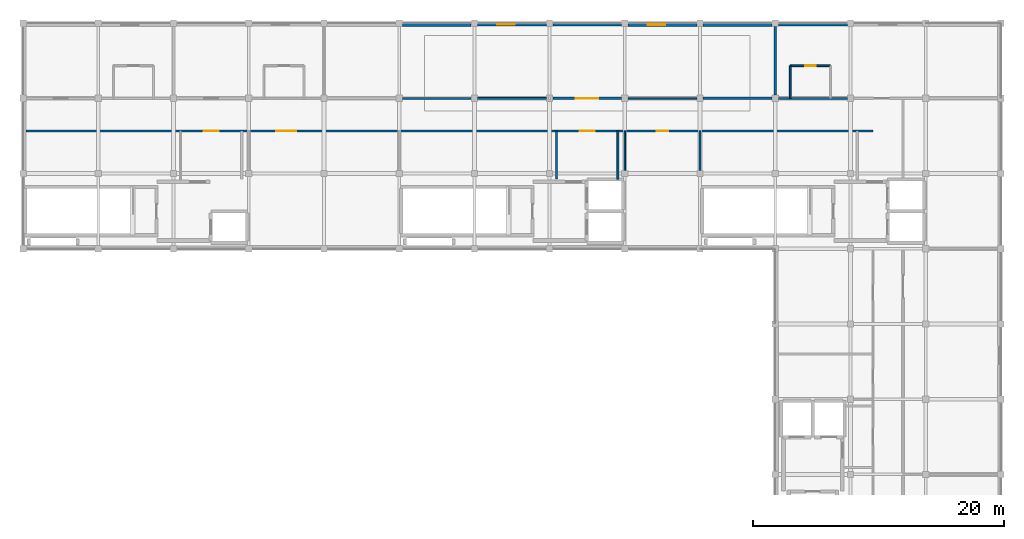
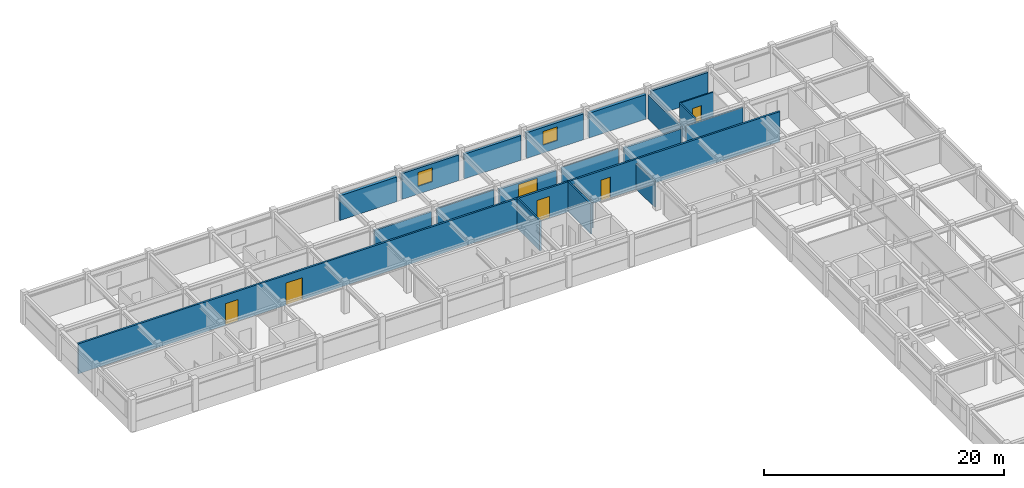
# One storey, part 8 of 11: 20 walls, 6 doors, 2 windows, 8 openings.
"""IFC4 building model written with IfcOpenShell, lengths in metres."""

import ifcopenshell
import ifcopenshell.guid

model = None  # the IFC model being written
_history = None  # IfcOwnerHistory: only IFC2X3 demands one
_inside = {}  # id of a spatial element -> (the spatial element, [elements in it])
_under = {}  # id of a project, library or spatial element -> (it, [spatial elements below it])
_declared = {}  # id of a project -> (the project, [libraries it declares])
_typed = {}  # id of a type object -> (the type object, [elements of that type])
_made_of = {}  # id of a material, layer set ... -> (it, [elements and type objects made of it])


def new_model(schema):
    """Start an empty IFC model of exactly this schema.

    Asked for "IFC4X3", IfcOpenShell would pick the latest addendum, in which some entities
    have other attributes; the version numbers below select the first issue.
    IFC2X3 requires an IfcOwnerHistory on every rooted entity: one is made here for all.
    """
    global model, _history
    if schema == "IFC4X3":
        model = ifcopenshell.file(schema_version=(4, 3, 0, 0))
    else:
        model = ifcopenshell.file(schema=schema)
    _inside.clear()
    _under.clear()
    _declared.clear()
    _typed.clear()
    _made_of.clear()
    _history = None
    if model.schema == "IFC2X3":
        org = make("IfcOrganization", Name="unknown")
        user = make(
            "IfcPersonAndOrganization",
            ThePerson=make("IfcPerson", FamilyName="unknown"),
            TheOrganization=org,
        )
        app = make(
            "IfcApplication",
            ApplicationDeveloper=org,
            Version="unknown",
            ApplicationFullName="unknown",
            ApplicationIdentifier="unknown",
        )
        _history = make(
            "IfcOwnerHistory",
            OwningUser=user,
            OwningApplication=app,
            ChangeAction="ADDED",
            CreationDate=0,
        )
    return model


def make(cls, **values):
    """One entity of the class cls with the attributes given. An attribute that is None is left unset."""
    return model.create_entity(
        cls, **{name: value for name, value in values.items() if value is not None}
    )


def rooted(cls, **values):
    """An entity with a GlobalId (a new one), such as an element, a storey or a relation."""
    return make(cls, GlobalId=ifcopenshell.guid.new(), OwnerHistory=_history, **values)


def si_unit(unit_type, name, prefix=None):
    """IfcSIUnit, for example si_unit("LENGTHUNIT", "METRE", prefix="MILLI")."""
    return make("IfcSIUnit", UnitType=unit_type, Prefix=prefix, Name=name)


def assignment(units):
    """IfcUnitAssignment: the units of a project."""
    return None if units is None else make("IfcUnitAssignment", Units=units)


def point(xyz):
    """IfcCartesianPoint."""
    return None if xyz is None else make("IfcCartesianPoint", Coordinates=xyz)


def direction(xyz):
    """IfcDirection."""
    return None if xyz is None else make("IfcDirection", DirectionRatios=xyz)


def frame(location, z_axis=None, x_axis=None):
    """IfcAxis2Placement3D, a coordinate frame: its origin and axes. An axis left out is left unset."""
    return make(
        "IfcAxis2Placement3D",
        Location=point(location),
        Axis=direction(z_axis),
        RefDirection=direction(x_axis),
    )


def frame_2d(location, x_axis=None):
    """IfcAxis2Placement2D, a coordinate frame in the plane: its origin and x axis."""
    return make(
        "IfcAxis2Placement2D", Location=point(location), RefDirection=direction(x_axis)
    )


def origin():
    """The frame at (0, 0, 0) with its axes left unset."""
    return frame((0.0, 0.0, 0.0))


def place(relative_to, where):
    """IfcLocalPlacement: puts the frame where relative to a parent placement (None: the world)."""
    return make(
        "IfcLocalPlacement", PlacementRelTo=relative_to, RelativePlacement=where
    )


def context(
    kind, dimensions, precision=None, world=None, true_north=None, identifier=None
):
    """IfcGeometricRepresentationContext, for example the 3D "Model" context."""
    return make(
        "IfcGeometricRepresentationContext",
        ContextIdentifier=identifier,
        ContextType=kind,
        CoordinateSpaceDimension=dimensions,
        Precision=precision,
        WorldCoordinateSystem=world,
        TrueNorth=true_north,
    )


def subcontext(parent, identifier, kind, view, scale=None):
    """IfcGeometricRepresentationSubContext, for example "Body" below "Model"."""
    return make(
        "IfcGeometricRepresentationSubContext",
        ContextIdentifier=identifier,
        ContextType=kind,
        ParentContext=parent,
        TargetScale=scale,
        TargetView=view,
    )


def project(units=None, contexts=None):
    """IfcProject with its units and contexts."""
    return rooted(
        "IfcProject",
        Name="project",
        RepresentationContexts=contexts,
        UnitsInContext=assignment(units),
    )


def spatial(cls, under=None, at=None, **own):
    """A site, building, storey or space (cls), placed at a placement, below another one or the project."""
    s = rooted(cls, ObjectPlacement=at, **own)
    if under is not None:
        _under.setdefault(under.id(), (under, []))[1].append(s)
    return s


def profile(cls, at=None, kind="AREA", **sizes):
    """A parametric profile (cls). Its sizes go by their IFC names, for example OverallWidth=200.0."""
    return make(cls, ProfileType=kind, Position=at, **sizes)


def rectangle(**sizes):
    """IfcRectangleProfileDef."""
    return profile("IfcRectangleProfileDef", **sizes)


def extrude(swept, where, along, depth):
    """IfcExtrudedAreaSolid: the profile swept, set in the frame where, extruded along a direction by depth."""
    return make(
        "IfcExtrudedAreaSolid",
        SweptArea=swept,
        Position=where,
        ExtrudedDirection=direction(along),
        Depth=depth,
    )


def shape(context_of_items, identifier, shape_type, items):
    """IfcShapeRepresentation: the items that make up one representation, for example the "Body"."""
    return make(
        "IfcShapeRepresentation",
        ContextOfItems=context_of_items,
        RepresentationIdentifier=identifier,
        RepresentationType=shape_type,
        Items=items,
    )


def material(Name=None, Category=None):
    """IfcMaterial."""
    return make("IfcMaterial", Name=Name, Category=Category)


def layer(
    of_material, thickness, ventilated=None, Name=None, Category=None, Priority=None
):
    """IfcMaterialLayer: one layer of a wall or slab, of a material (None: an air gap)."""
    return make(
        "IfcMaterialLayer",
        Material=of_material,
        LayerThickness=thickness,
        IsVentilated=ventilated,
        Name=Name,
        Category=Category,
        Priority=Priority,
    )


def layer_set(layers, Name=None):
    """IfcMaterialLayerSet."""
    return make("IfcMaterialLayerSet", MaterialLayers=layers, LayerSetName=Name)


def made_of(thing, what):
    """Note that an element or type object is made of a material, layer set ...; save() writes the relation."""
    if what is not None:
        _made_of.setdefault(what.id(), (what, []))[1].append(thing)
    return thing


def type_object(cls, material=None, **own):
    """A type object (cls), such as IfcWallType, which elements share."""
    return made_of(rooted(cls, **own), material)


def element(
    cls,
    number,
    at=None,
    inside=None,
    cuts=None,
    type_object=None,
    material=None,
    context=None,
    identifier="Body",
    shape_type=None,
    held_by="IfcProductDefinitionShape",
    body=None,
    shapes=None,
    **own,
):
    """One element of the class cls, such as IfcWall. Its Tag is "e" and its number.

    at: its placement. inside: the storey or other place that contains it. cuts: it is an
    opening in that element (IfcRelVoidsElement). A single representation is given by context,
    identifier, shape_type and body (its items); several are given by shapes. held_by: the class
    of the entity that holds the representations. save() writes the other relations.
    """
    e = rooted(cls, Tag="e%d" % number, ObjectPlacement=at, **own)
    if body is not None:
        shapes = [shape(context, identifier, shape_type, body)]
    if shapes is not None:
        e.Representation = make(held_by, Representations=shapes)
    if inside is not None:
        _inside.setdefault(inside.id(), (inside, []))[1].append(e)
    if cuts is not None:
        rooted(
            "IfcRelVoidsElement", RelatingBuildingElement=cuts, RelatedOpeningElement=e
        )
    if type_object is not None:
        _typed.setdefault(type_object.id(), (type_object, []))[1].append(e)
    return made_of(e, material)


def fill(opening, filler):
    """IfcRelFillsElement: the door or window that sits in an opening."""
    return rooted(
        "IfcRelFillsElement",
        RelatingOpeningElement=opening,
        RelatedBuildingElement=filler,
    )


def aggregate(whole, parts):
    """IfcRelAggregates: a whole, such as a stair, and the parts it consists of."""
    return rooted("IfcRelAggregates", RelatingObject=whole, RelatedObjects=parts)


def save(model, path):
    """Write the relations noted so far, then the file.

    IfcRelAggregates (storeys below a building ...), IfcRelContainedInSpatialStructure (elements
    in a storey), IfcRelDefinesByType, IfcRelAssociatesMaterial and IfcRelDeclares: one each for
    every whole, place, type object, material and project.
    """
    for whole, parts in _under.values():
        aggregate(whole, parts)
    for where, things in _inside.values():
        rooted(
            "IfcRelContainedInSpatialStructure",
            RelatedElements=things,
            RelatingStructure=where,
        )
    for kind, things in _typed.values():
        rooted("IfcRelDefinesByType", RelatedObjects=things, RelatingType=kind)
    for what, things in _made_of.values():
        rooted("IfcRelAssociatesMaterial", RelatedObjects=things, RelatingMaterial=what)
    for by, libraries in _declared.values():
        rooted("IfcRelDeclares", RelatingContext=by, RelatedDefinitions=libraries)
    model.write(path)


model = new_model("IFC4")

# Units and contexts
model_context = context("Model", 3, precision=1e-05, world=origin(), true_north=direction((0.0, 1.0)))
body_context = subcontext(model_context, "Body", "Model", "MODEL_VIEW")
ifc_project = project(units=[si_unit("LENGTHUNIT", "METRE"), si_unit("AREAUNIT", "SQUARE_METRE"), si_unit("VOLUMEUNIT", "CUBIC_METRE"), si_unit("PLANEANGLEUNIT", "RADIAN"), si_unit("MASSUNIT", "GRAM", prefix="KILO"), si_unit("THERMODYNAMICTEMPERATUREUNIT", "KELVIN"), si_unit("POWERUNIT", "WATT")], contexts=[model_context])

# Site, building, storey
site_placement = place(None, origin())
site = spatial("IfcSite", under=ifc_project, at=site_placement, CompositionType="ELEMENT")
building_placement = place(site_placement, origin())
building = spatial("IfcBuilding", under=site, at=building_placement, Name="Phaisarnlok Congress Hotel", CompositionType="ELEMENT")
storey_placement = place(building_placement, frame((0.0, 0.0, 51.300048828125)))
storey = spatial("IfcBuildingStorey", under=building, at=storey_placement, Name="L13", CompositionType="ELEMENT", Elevation=51.300048828125)

# Wall
ifc_material_1 = material(Name="Concrete C40/50", Category="concrete")
ifc_layer_1 = layer(ifc_material_1, 0.2099609375, Name="Concrete C40/50")
ifc_layer_set_1 = layer_set([ifc_layer_1], Name="Concrete C40/50")
wall_type_1 = type_object("IfcWallType", Name="WL-EXT-210", PredefinedType="SOLIDWALL", material=ifc_layer_set_1)
wall_1_placement = place(storey_placement, frame((167.7451171875, 125.89501953125, 0.0), z_axis=(0.0, 0.0, 1.0), x_axis=(-1.0, 0.0, 0.0)))
element("IfcWall", 1, at=wall_1_placement, inside=storey, type_object=wall_type_1, Name="Exterior wall EW-07 (L13)", PredefinedType="SOLIDWALL", context=body_context, shape_type="SweptSolid", body=[
    extrude(rectangle(XDim=5.490234375, YDim=0.2099609375, at=frame_2d((2.7451171875, 0.0))), origin(), (0.0, 0.0, 1.0), 2.619873046875),
])

# Wall, opening, window
wall_2_placement = place(storey_placement, frame((143.7451171875, 125.89501953125, 0.0), z_axis=(0.0, 0.0, 1.0), x_axis=(-1.0, 0.0, 0.0)))
wall_2 = element("IfcWall", 2, at=wall_2_placement, inside=storey, type_object=wall_type_1, Name="Exterior wall EW-07 (L13)", PredefinedType="SOLIDWALL", context=body_context, shape_type="SweptSolid", body=[
    extrude(rectangle(XDim=5.490234375, YDim=0.2099609375, at=frame_2d((2.7451171875, 0.0))), origin(), (0.0, 0.0, 1.0), 2.619873046875),
])
opening_1_placement = place(wall_2_placement, frame((2.51806640625, 0.0, 0.800048828125)))
opening_1 = element("IfcOpeningElement", 3, at=opening_1_placement, cuts=wall_2, Name="Opening W-13", PredefinedType="OPENING", context=body_context, shape_type="SweptSolid", body=[
    extrude(rectangle(XDim=1.39990234375, YDim=1.39990234375, at=frame_2d((0.699951171875, 0.699951171875))), frame((0.0, 0.114990234375, 0.0), z_axis=(0.0, -1.0, 0.0), x_axis=(1.0, 0.0, 0.0)), (0.0, 0.0, 1.0), 0.22998046875),
])
ifc_material_2 = material(Name="Thermally Broken Aluminium & Low-E Double Glazing", Category="aluminium")
window_type = type_object("IfcWindowType", Name="WIN-POD-1400", PartitioningType="SINGLE_PANEL", PredefinedType="WINDOW", material=ifc_material_2)
window_1_placement = place(opening_1_placement, origin())
window_1 = element("IfcWindow", 4, at=window_1_placement, inside=storey, type_object=window_type, Name="Guestroom window W-13 (L13)", OverallHeight=1.39990234375, OverallWidth=1.39990234375, PartitioningType="SINGLE_PANEL", PredefinedType="WINDOW", context=body_context, shape_type="SweptSolid", body=[
    extrude(rectangle(XDim=1.39990234375, YDim=1.39990234375, at=frame_2d((0.699951171875, 0.699951171875))), frame((0.0, 0.030029296875, 0.0), z_axis=(0.0, -1.0, 0.0), x_axis=(1.0, 0.0, 0.0)), (0.0, 0.0, 1.0), 0.06005859375),
])
fill(opening_1, window_1)

# Wall
ifc_layer_2 = layer(ifc_material_1, 0.22998046875, Name="Concrete C40/50")
ifc_layer_set_2 = layer_set([ifc_layer_2], Name="Concrete C40/50")
wall_type_2 = type_object("IfcWallType", Name="WL-EXT-230", PredefinedType="SOLIDWALL", material=ifc_layer_set_2)
wall_3_placement = place(storey_placement, frame((149.7451171875, 125.885009765625, 0.0), z_axis=(0.0, 0.0, 1.0), x_axis=(-1.0, 0.0, 0.0)))
element("IfcWall", 5, at=wall_3_placement, inside=storey, type_object=wall_type_2, Name="Exterior wall EW-06 (L13)", PredefinedType="SOLIDWALL", context=body_context, shape_type="SweptSolid", body=[
    extrude(rectangle(XDim=5.490234375, YDim=0.22998046875, at=frame_2d((2.7451171875, 0.0))), origin(), (0.0, 0.0, 1.0), 2.510009765625),
])

# Wall, opening, window
ifc_layer_3 = layer(ifc_material_1, 0.25, Name="Concrete C40/50")
ifc_layer_set_3 = layer_set([ifc_layer_3], Name="Concrete C40/50")
wall_type_3 = type_object("IfcWallType", Name="WL-EXT-250", PredefinedType="SOLIDWALL", material=ifc_layer_set_3)
wall_4_placement = place(storey_placement, frame((155.7451171875, 125.875, 0.0), z_axis=(0.0, 0.0, 1.0), x_axis=(-1.0, 0.0, 0.0)))
wall_4 = element("IfcWall", 6, at=wall_4_placement, inside=storey, type_object=wall_type_3, Name="Exterior wall EW-05 (L13)", PredefinedType="SOLIDWALL", context=body_context, shape_type="SweptSolid", body=[
    extrude(rectangle(XDim=5.490234375, YDim=0.25, at=frame_2d((2.7451171875, 0.0))), origin(), (0.0, 0.0, 1.0), 2.619873046875),
])
opening_2_placement = place(wall_4_placement, frame((2.51806640625, 0.0, 0.800048828125)))
opening_2 = element("IfcOpeningElement", 7, at=opening_2_placement, cuts=wall_4, Name="Opening W-13", PredefinedType="OPENING", context=body_context, shape_type="SweptSolid", body=[
    extrude(rectangle(XDim=1.39990234375, YDim=1.39990234375, at=frame_2d((0.699951171875, 0.699951171875))), frame((0.0, 0.135009765625, 0.0), z_axis=(0.0, -1.0, 0.0), x_axis=(1.0, 0.0, 0.0)), (0.0, 0.0, 1.0), 0.27001953125),
])
window_2_placement = place(opening_2_placement, origin())
window_2 = element("IfcWindow", 8, at=window_2_placement, inside=storey, type_object=window_type, Name="Guestroom window W-13 (L13)", OverallHeight=1.39990234375, OverallWidth=1.39990234375, PartitioningType="SINGLE_PANEL", PredefinedType="WINDOW", context=body_context, shape_type="SweptSolid", body=[
    extrude(rectangle(XDim=1.39990234375, YDim=1.39990234375, at=frame_2d((0.699951171875, 0.699951171875))), frame((0.0, 0.030029296875, 0.0), z_axis=(0.0, -1.0, 0.0), x_axis=(1.0, 0.0, 0.0)), (0.0, 0.0, 1.0), 0.06005859375),
])
fill(opening_2, window_2)

# Walls
ifc_layer_4 = layer(ifc_material_1, 0.27001953125, Name="Concrete C40/50")
ifc_layer_set_4 = layer_set([ifc_layer_4], Name="Concrete C40/50")
wall_type_4 = type_object("IfcWallType", Name="WL-EXT-270", PredefinedType="SOLIDWALL", material=ifc_layer_set_4)
for number, where, z_axis, x_axis, name in (
    (9, (161.7451171875, 125.864990234375, 0.0), (0.0, 0.0, 1.0), (-1.0, 0.0, 0.0), "Exterior wall EW-04 (L13)"),
    (10, (137.7451171875, 125.864990234375, 0.0), (0.0, 0.0, 1.0), (-1.0, 0.0, 0.0), "Exterior wall EW-04 (L13)"),
):
    element("IfcWall", number, at=place(storey_placement, frame(where, z_axis=z_axis, x_axis=x_axis)), inside=storey, type_object=wall_type_4, Name=name, PredefinedType="SOLIDWALL", context=body_context, shape_type="SweptSolid", body=[
        extrude(rectangle(XDim=5.490234375, YDim=0.27001953125, at=frame_2d((2.7451171875, 0.0))), origin(), (0.0, 0.0, 1.0), 2.510009765625),
    ])
ifc_material_3 = material(Name="Service Riser Shaftwall Partition", Category="gypsum")
ifc_layer_5 = layer(ifc_material_3, 0.10498046875, Name="Service Riser Shaftwall Partition")
ifc_layer_set_5 = layer_set([ifc_layer_5], Name="Service Riser Shaftwall Partition")
wall_type_5 = type_object("IfcWallType", Name="WL-INT-105", PredefinedType="PARTITIONING", material=ifc_layer_set_5)
wall_5_placement = place(storey_placement, frame((150.2548828125, 120.0, 0.0), z_axis=(0.0, 0.0, 1.0), x_axis=(1.0, 0.0, 0.0)))
element("IfcWall", 11, at=wall_5_placement, inside=storey, type_object=wall_type_5, Name="Interior partition wall IW-08 (L13)", PredefinedType="PARTITIONING", context=body_context, shape_type="SweptSolid", body=[
    extrude(rectangle(XDim=5.490234375, YDim=0.10498046875, at=frame_2d((2.7451171875, 0.0))), origin(), (0.0, 0.0, 1.0), 2.619873046875),
])
ifc_material_4 = material(Name="Lightweight Metal-Stud Gypsum Partition", Category="gypsum")
ifc_layer_6 = layer(ifc_material_4, 0.1201171875, Name="Lightweight Metal-Stud Gypsum Partition")
ifc_layer_set_6 = layer_set([ifc_layer_6], Name="Lightweight Metal-Stud Gypsum Partition")
wall_type_6 = type_object("IfcWallType", Name="WL-INT-120", PredefinedType="PARTITIONING", material=ifc_layer_set_6)
wall_6_placement = place(storey_placement, frame((150.0, 114.2548828125, 0.0), z_axis=(0.0, 0.0, 1.0), x_axis=(0.0, 1.0, 0.0)))
element("IfcWall", 12, at=wall_6_placement, inside=storey, type_object=wall_type_6, Name="Interior partition wall IW-07 (L13)", PredefinedType="PARTITIONING", context=body_context, shape_type="SweptSolid", body=[
    extrude(rectangle(XDim=3.14501953125, YDim=0.1201171875, at=frame_2d((1.572509765625, 0.0))), origin(), (0.0, 0.0, 1.0), 2.60986328125),
])
ifc_material_5 = material(Name="Moisture-Resistant Gypsum Partition", Category="gypsum")
ifc_layer_7 = layer(ifc_material_5, 0.135009765625, Name="Moisture-Resistant Gypsum Partition")
ifc_layer_set_7 = layer_set([ifc_layer_7], Name="Moisture-Resistant Gypsum Partition")
wall_type_7 = type_object("IfcWallType", Name="WL-INT-135", PredefinedType="PARTITIONING", material=ifc_layer_set_7)
wall_7_placement = place(storey_placement, frame((156.0, 114.2548828125, 0.0), z_axis=(0.0, 0.0, 1.0), x_axis=(0.0, 1.0, 0.0)))
element("IfcWall", 13, at=wall_7_placement, inside=storey, type_object=wall_type_7, Name="Interior partition wall IW-06 (L13)", PredefinedType="PARTITIONING", context=body_context, shape_type="SweptSolid", body=[
    extrude(rectangle(XDim=3.14501953125, YDim=0.135009765625, at=frame_2d((1.572509765625, 0.0))), origin(), (0.0, 0.0, 1.0), 2.60986328125),
])
wall_8_placement = place(storey_placement, frame((163.199951171875, 120.0, 0.0), z_axis=(0.0, 0.0, 1.0), x_axis=(0.0, 1.0, 0.0)))
element("IfcWall", 14, at=wall_8_placement, inside=storey, type_object=wall_type_7, Name="Interior partition wall IW-06 (L13)", PredefinedType="PARTITIONING", context=body_context, shape_type="SweptSolid", body=[
    extrude(rectangle(XDim=2.60009765625, YDim=0.135009765625, at=frame_2d((1.300048828125, 0.0))), origin(), (0.0, 0.0, 1.0), 3.06005859375),
])

# Wall, opening, door
wall_9_placement = place(storey_placement, frame((163.199951171875, 122.60009765625, 0.0), z_axis=(0.0, 0.0, 1.0), x_axis=(1.0, 0.0, 0.0)))
wall_9 = element("IfcWall", 15, at=wall_9_placement, inside=storey, type_object=wall_type_7, Name="Interior partition wall IW-06 (L13)", PredefinedType="PARTITIONING", context=body_context, shape_type="SweptSolid", body=[
    extrude(rectangle(XDim=3.199951171875, YDim=0.135009765625, at=frame_2d((1.60009765625, 0.0))), origin(), (0.0, 0.0, 1.0), 3.06005859375),
])
opening_3_placement = place(wall_9_placement, frame((1.175048828125, 0.0, 0.0)))
opening_3 = element("IfcOpeningElement", 16, at=opening_3_placement, cuts=wall_9, Name="Opening D-0733", PredefinedType="OPENING", context=body_context, shape_type="SweptSolid", body=[
    extrude(rectangle(XDim=0.85009765625, YDim=2.10009765625, at=frame_2d((0.425048828125, 1.050048828125))), frame((0.0, 0.07763671875, 0.0), z_axis=(0.0, -1.0, 0.0), x_axis=(1.0, 0.0, 0.0)), (0.0, 0.0, 1.0), 0.155029296875),
])
ifc_material_6 = material(Name="Moisture-Resistant Lacquered Timber", Category="wood")
door_type_1 = type_object("IfcDoorType", Name="DR-BATH-850", OperationType="NOTDEFINED", PredefinedType="DOOR", material=ifc_material_6)
door_1_placement = place(opening_3_placement, origin())
door_1 = element("IfcDoor", 17, at=door_1_placement, inside=storey, type_object=door_type_1, Name="Interior door D-0733 (L13)", OperationType="SINGLE_SWING_RIGHT", OverallHeight=2.10009765625, OverallWidth=0.85009765625, PredefinedType="DOOR", context=body_context, shape_type="SweptSolid", body=[
    extrude(rectangle(XDim=0.85009765625, YDim=2.10009765625, at=frame_2d((0.425048828125, 1.050048828125))), frame((0.0, 0.02490234375, 0.0), z_axis=(0.0, -1.0, 0.0), x_axis=(1.0, 0.0, 0.0)), (0.0, 0.0, 1.0), 0.050048828125),
])
fill(opening_3, door_1)

# Walls
ifc_material_7 = material(Name="Acoustic Gypsum Board & Mineral Wool", Category="gypsum")
ifc_layer_8 = layer(ifc_material_7, 0.14990234375, Name="Acoustic Gypsum Board & Mineral Wool")
ifc_layer_set_8 = layer_set([ifc_layer_8], Name="Acoustic Gypsum Board & Mineral Wool")
wall_type_8 = type_object("IfcWallType", Name="WL-INT-150", PredefinedType="PARTITIONING", material=ifc_layer_set_8)
wall_10_placement = place(storey_placement, frame((149.449951171875, 113.56005859375, 0.0), z_axis=(0.0, 0.0, 1.0), x_axis=(0.0, 1.0, 0.0)))
element("IfcWall", 18, at=wall_10_placement, inside=storey, type_object=wall_type_8, Name="Interior partition wall IW-05 (L13)", PredefinedType="PARTITIONING", context=body_context, shape_type="SweptSolid", body=[
    extrude(rectangle(XDim=3.83984375, YDim=0.14990234375, at=frame_2d((1.919921875, 0.0))), origin(), (0.0, 0.0, 1.0), 3.06005859375),
])
wall_11_placement = place(storey_placement, frame((138.2548828125, 120.0, 0.0), z_axis=(0.0, 0.0, 1.0), x_axis=(1.0, 0.0, 0.0)))
element("IfcWall", 19, at=wall_11_placement, inside=storey, type_object=wall_type_8, Name="Interior partition wall IW-05 (L13)", PredefinedType="PARTITIONING", context=body_context, shape_type="SweptSolid", body=[
    extrude(rectangle(XDim=5.490234375, YDim=0.14990234375, at=frame_2d((2.7451171875, 0.0))), origin(), (0.0, 0.0, 1.0), 2.619873046875),
])
ifc_material_8 = material(Name="Double-Stud Acoustic Gypsum Partition", Category="gypsum")
ifc_layer_9 = layer(ifc_material_8, 0.159912109375, Name="Double-Stud Acoustic Gypsum Partition")
ifc_layer_set_9 = layer_set([ifc_layer_9], Name="Double-Stud Acoustic Gypsum Partition")
wall_type_9 = type_object("IfcWallType", Name="WL-INT-160", PredefinedType="PARTITIONING", material=ifc_layer_set_9)
wall_12_placement = place(storey_placement, frame((144.550048828125, 113.56005859375, 0.0), z_axis=(0.0, 0.0, 1.0), x_axis=(0.0, 1.0, 0.0)))
element("IfcWall", 20, at=wall_12_placement, inside=storey, type_object=wall_type_9, Name="Interior partition wall IW-04 (L13)", PredefinedType="PARTITIONING", context=body_context, shape_type="SweptSolid", body=[
    extrude(rectangle(XDim=3.83984375, YDim=0.159912109375, at=frame_2d((1.919921875, 0.0))), origin(), (0.0, 0.0, 1.0), 3.06005859375),
])
wall_13_placement = place(storey_placement, frame((132.2548828125, 120.0, 0.0), z_axis=(0.0, 0.0, 1.0), x_axis=(1.0, 0.0, 0.0)))
element("IfcWall", 21, at=wall_13_placement, inside=storey, type_object=wall_type_9, Name="Interior partition wall IW-04 (L13)", PredefinedType="PARTITIONING", context=body_context, shape_type="SweptSolid", body=[
    extrude(rectangle(XDim=5.490234375, YDim=0.159912109375, at=frame_2d((2.7451171875, 0.0))), origin(), (0.0, 0.0, 1.0), 2.510009765625),
])
wall_14_placement = place(storey_placement, frame((162.2548828125, 120.0, 0.0), z_axis=(0.0, 0.0, 1.0), x_axis=(1.0, 0.0, 0.0)))
element("IfcWall", 22, at=wall_14_placement, inside=storey, type_object=wall_type_9, Name="Interior partition wall IW-04 (L13)", PredefinedType="PARTITIONING", context=body_context, shape_type="SweptSolid", body=[
    extrude(rectangle(XDim=5.490234375, YDim=0.159912109375, at=frame_2d((2.7451171875, 0.0))), origin(), (0.0, 0.0, 1.0), 2.619873046875),
])
ifc_material_9 = material(Name="Autoclaved Aerated Concrete Block", Category="concrete")
ifc_layer_10 = layer(ifc_material_9, 0.179931640625, Name="Autoclaved Aerated Concrete Block")
ifc_layer_set_10 = layer_set([ifc_layer_10], Name="Autoclaved Aerated Concrete Block")
wall_type_10 = type_object("IfcWallType", Name="WL-INT-180", PredefinedType="PARTITIONING", material=ifc_layer_set_10)
wall_15_placement = place(storey_placement, frame((162.0, 120.2548828125, 0.0), z_axis=(0.0, 0.0, 1.0), x_axis=(0.0, 1.0, 0.0)))
element("IfcWall", 23, at=wall_15_placement, inside=storey, type_object=wall_type_10, Name="Interior partition wall IW-03 (L13)", PredefinedType="PARTITIONING", context=body_context, shape_type="SweptSolid", body=[
    extrude(rectangle(XDim=5.465087890625, YDim=0.179931640625, at=frame_2d((2.732421875, 0.0))), origin(), (0.0, 0.0, 1.0), 2.4599609375),
])

# Wall, openings, doors
wall_16_placement = place(storey_placement, frame((102.215087890625, 117.39990234375, 0.0), z_axis=(0.0, 0.0, 1.0), x_axis=(1.0, 0.0, 0.0)))
wall_16 = element("IfcWall", 24, at=wall_16_placement, inside=storey, type_object=wall_type_10, Name="Interior partition wall IW-03 (L13)", PredefinedType="PARTITIONING", context=body_context, shape_type="SweptSolid", body=[
    extrude(rectangle(XDim=67.5849609375, YDim=0.179931640625, at=frame_2d((33.79248046875, 0.0))), origin(), (0.0, 0.0, 1.0), 3.06005859375),
])
opening_4_placement = place(wall_16_placement, frame((44.18505859375, 0.0, 0.0)))
opening_4 = element("IfcOpeningElement", 25, at=opening_4_placement, cuts=wall_16, Name="Opening D-0724", PredefinedType="OPENING", context=body_context, shape_type="SweptSolid", body=[
    extrude(rectangle(XDim=1.199951171875, YDim=2.199951171875, at=frame_2d((0.60009765625, 1.10009765625))), frame((0.0, 0.10009765625, 0.0), z_axis=(0.0, -1.0, 0.0), x_axis=(1.0, 0.0, 0.0)), (0.0, 0.0, 1.0), 0.199951171875),
])
opening_5_placement = place(wall_16_placement, frame((14.18505859375, 0.0, 0.0)))
opening_5 = element("IfcOpeningElement", 26, at=opening_5_placement, cuts=wall_16, Name="Opening D-0725", PredefinedType="OPENING", context=body_context, shape_type="SweptSolid", body=[
    extrude(rectangle(XDim=1.199951171875, YDim=2.199951171875, at=frame_2d((0.60009765625, 1.10009765625))), frame((0.0, 0.10009765625, 0.0), z_axis=(0.0, -1.0, 0.0), x_axis=(1.0, 0.0, 0.0)), (0.0, 0.0, 1.0), 0.199951171875),
])
opening_6_placement = place(wall_16_placement, frame((19.985107421875, 0.0, 0.0)))
opening_6 = element("IfcOpeningElement", 27, at=opening_6_placement, cuts=wall_16, Name="Opening D-0732", PredefinedType="OPENING", context=body_context, shape_type="SweptSolid", body=[
    extrude(rectangle(XDim=1.60009765625, YDim=2.25, at=frame_2d((0.800048828125, 1.125))), frame((0.0, 0.10009765625, 0.0), z_axis=(0.0, -1.0, 0.0), x_axis=(1.0, 0.0, 0.0)), (0.0, 0.0, 1.0), 0.199951171875),
])
opening_7_placement = place(wall_16_placement, frame((50.3349609375, 0.0, 0.0)))
opening_7 = element("IfcOpeningElement", 28, at=opening_7_placement, cuts=wall_16, Name="Opening D-0739", PredefinedType="OPENING", context=body_context, shape_type="SweptSolid", body=[
    extrude(rectangle(XDim=0.89990234375, YDim=2.10009765625, at=frame_2d((0.449951171875, 1.050048828125))), frame((0.0, 0.10009765625, 0.0), z_axis=(0.0, -1.0, 0.0), x_axis=(1.0, 0.0, 0.0)), (0.0, 0.0, 1.0), 0.199951171875),
])
ifc_material_10 = material(Name="Fire-Rated Steel Frame & Timber Leaf", Category="steel")
door_type_2 = type_object("IfcDoorType", Name="DR-FD60-1200", OperationType="NOTDEFINED", PredefinedType="DOOR", material=ifc_material_10)
door_2_placement = place(opening_4_placement, origin())
door_2 = element("IfcDoor", 29, at=door_2_placement, inside=storey, type_object=door_type_2, Name="Interior door D-0724 (L13)", OperationType="SINGLE_SWING_LEFT", OverallHeight=2.199951171875, OverallWidth=1.199951171875, PredefinedType="DOOR", context=body_context, shape_type="SweptSolid", body=[
    extrude(rectangle(XDim=1.199951171875, YDim=2.199951171875, at=frame_2d((0.60009765625, 1.10009765625))), frame((0.0, 0.02490234375, 0.0), z_axis=(0.0, -1.0, 0.0), x_axis=(1.0, 0.0, 0.0)), (0.0, 0.0, 1.0), 0.050048828125),
])
fill(opening_4, door_2)
door_3_placement = place(opening_5_placement, origin())
door_3 = element("IfcDoor", 30, at=door_3_placement, inside=storey, type_object=door_type_2, Name="Interior door D-0725 (L13)", OperationType="SINGLE_SWING_RIGHT", OverallHeight=2.199951171875, OverallWidth=1.199951171875, PredefinedType="DOOR", context=body_context, shape_type="SweptSolid", body=[
    extrude(rectangle(XDim=1.199951171875, YDim=2.199951171875, at=frame_2d((0.60009765625, 1.10009765625))), frame((0.0, 0.02490234375, 0.0), z_axis=(0.0, -1.0, 0.0), x_axis=(1.0, 0.0, 0.0)), (0.0, 0.0, 1.0), 0.050048828125),
])
fill(opening_5, door_3)
ifc_material_11 = material(Name="Frameless Tempered Acoustic Glass", Category="glass")
door_type_3 = type_object("IfcDoorType", Name="DR-GLZ-1600", OperationType="DOUBLE_DOOR_SINGLE_SWING", PredefinedType="DOOR", material=ifc_material_11)
door_4_placement = place(opening_6_placement, origin())
door_4 = element("IfcDoor", 31, at=door_4_placement, inside=storey, type_object=door_type_3, Name="Interior door D-0732 (L13)", OperationType="DOUBLE_DOOR_SINGLE_SWING", OverallHeight=2.25, OverallWidth=1.60009765625, PredefinedType="DOOR", context=body_context, shape_type="SweptSolid", body=[
    extrude(rectangle(XDim=1.60009765625, YDim=2.25, at=frame_2d((0.800048828125, 1.125))), frame((0.0, 0.02490234375, 0.0), z_axis=(0.0, -1.0, 0.0), x_axis=(1.0, 0.0, 0.0)), (0.0, 0.0, 1.0), 0.050048828125),
])
fill(opening_6, door_4)
ifc_material_12 = material(Name="Solid-Core Oak Veneer", Category="wood")
door_type_4 = type_object("IfcDoorType", Name="DR-INT-900", OperationType="NOTDEFINED", PredefinedType="DOOR", material=ifc_material_12)
door_5_placement = place(opening_7_placement, origin())
door_5 = element("IfcDoor", 32, at=door_5_placement, inside=storey, type_object=door_type_4, Name="Interior door D-0739 (L13)", OperationType="SINGLE_SWING_LEFT", OverallHeight=2.10009765625, OverallWidth=0.89990234375, PredefinedType="DOOR", context=body_context, shape_type="SweptSolid", body=[
    extrude(rectangle(XDim=0.89990234375, YDim=2.10009765625, at=frame_2d((0.449951171875, 1.050048828125))), frame((0.0, 0.02490234375, 0.0), z_axis=(0.0, -1.0, 0.0), x_axis=(1.0, 0.0, 0.0)), (0.0, 0.0, 1.0), 0.050048828125),
])
fill(opening_7, door_5)

# Wall
wall_17_placement = place(storey_placement, frame((156.2548828125, 120.0, 0.0), z_axis=(0.0, 0.0, 1.0), x_axis=(1.0, 0.0, 0.0)))
element("IfcWall", 33, at=wall_17_placement, inside=storey, type_object=wall_type_10, Name="Interior partition wall IW-03 (L13)", PredefinedType="PARTITIONING", context=body_context, shape_type="SweptSolid", body=[
    extrude(rectangle(XDim=5.490234375, YDim=0.179931640625, at=frame_2d((2.7451171875, 0.0))), origin(), (0.0, 0.0, 1.0), 2.510009765625),
])

# Wall, opening, door
ifc_layer_11 = layer(ifc_material_9, 0.199951171875, Name="Autoclaved Aerated Concrete Block")
ifc_layer_set_11 = layer_set([ifc_layer_11], Name="Autoclaved Aerated Concrete Block")
wall_type_11 = type_object("IfcWallType", Name="WL-INT-200", PredefinedType="PARTITIONING", material=ifc_layer_set_11)
wall_18_placement = place(storey_placement, frame((144.2548828125, 120.0, 0.0), z_axis=(0.0, 0.0, 1.0), x_axis=(1.0, 0.0, 0.0)))
wall_18 = element("IfcWall", 34, at=wall_18_placement, inside=storey, type_object=wall_type_11, Name="Interior partition wall IW-02 (L13)", PredefinedType="PARTITIONING", context=body_context, shape_type="SweptSolid", body=[
    extrude(rectangle(XDim=5.490234375, YDim=0.199951171875, at=frame_2d((2.7451171875, 0.0))), origin(), (0.0, 0.0, 1.0), 2.510009765625),
])
opening_8_placement = place(wall_18_placement, frame((1.844970703125, 0.0, 0.0)))
opening_8 = element("IfcOpeningElement", 35, at=opening_8_placement, cuts=wall_18, Name="Opening D-0731", PredefinedType="OPENING", context=body_context, shape_type="SweptSolid", body=[
    extrude(rectangle(XDim=1.800048828125, YDim=2.35009765625, at=frame_2d((0.89990234375, 1.175048828125))), frame((0.0, 0.10986328125, 0.0), z_axis=(0.0, -1.0, 0.0), x_axis=(1.0, 0.0, 0.0)), (0.0, 0.0, 1.0), 0.219970703125),
])
door_type_5 = type_object("IfcDoorType", Name="DR-GLZ-1800", OperationType="DOUBLE_DOOR_SINGLE_SWING", PredefinedType="DOOR", material=ifc_material_11)
door_6_placement = place(opening_8_placement, origin())
door_6 = element("IfcDoor", 36, at=door_6_placement, inside=storey, type_object=door_type_5, Name="Interior door D-0731 (L13)", OperationType="DOUBLE_DOOR_SINGLE_SWING", OverallHeight=2.35009765625, OverallWidth=1.800048828125, PredefinedType="DOOR", context=body_context, shape_type="SweptSolid", body=[
    extrude(rectangle(XDim=1.800048828125, YDim=2.35009765625, at=frame_2d((0.89990234375, 1.175048828125))), frame((0.0, 0.02490234375, 0.0), z_axis=(0.0, -1.0, 0.0), x_axis=(1.0, 0.0, 0.0)), (0.0, 0.0, 1.0), 0.050048828125),
])
fill(opening_8, door_6)

save(model, "model.ifc")
